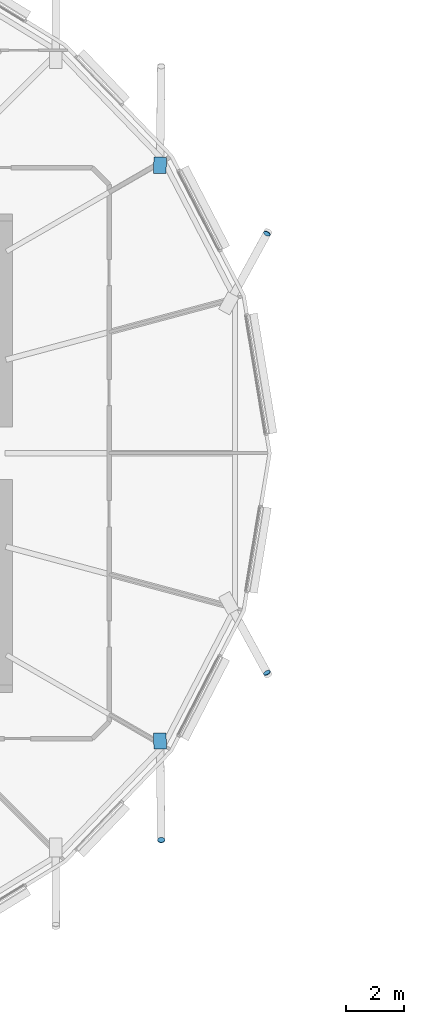
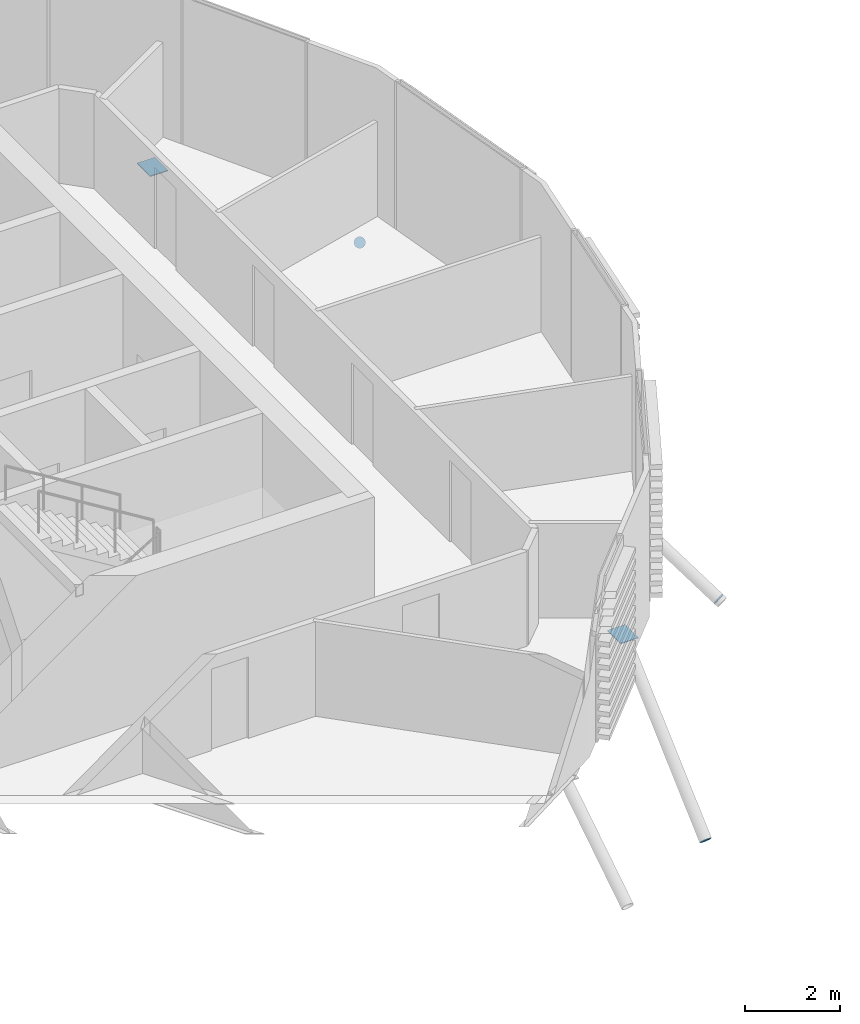
# One storey, part 26 of 38: 5 discrete accessories.
"""IFC4 building model written with IfcOpenShell, lengths in metres."""

from ifc_helpers import new_model, si_unit, direction, frame, origin, origin_2d, place, context, subcontext, project, spatial, polyline, rectangle, circle, outline, extrude, material, material_profile, profile_set, type_object, element, save


model = new_model("IFC4")

# Units and contexts
model_context = context("Model", 3, precision=1e-05, world=origin(), true_north=direction((0.0, 1.0)))
body_context = subcontext(model_context, "Body", "Model", "MODEL_VIEW")
ifc_project = project(units=[si_unit("LENGTHUNIT", "METRE"), si_unit("AREAUNIT", "SQUARE_METRE"), si_unit("VOLUMEUNIT", "CUBIC_METRE"), si_unit("PLANEANGLEUNIT", "RADIAN"), si_unit("MASSUNIT", "GRAM", prefix="KILO")], contexts=[model_context])

# Site, building, storey
site_placement = place(None, origin())
site = spatial("IfcSite", under=ifc_project, at=site_placement, CompositionType="ELEMENT")
building_placement = place(site_placement, origin())
building = spatial("IfcBuilding", under=site, at=building_placement, Name="Rimbun Link Towers", CompositionType="ELEMENT")
storey_placement = place(building_placement, frame((0.0, 0.0, 218.10009765625)))
storey = spatial("IfcBuildingStorey", under=building, at=storey_placement, Name="L53", CompositionType="ELEMENT", Elevation=218.10009765625)

# Discrete accessories
ifc_material_1 = material(Name="Steel S355J2H", Category="steel")
ifc_material_profile_1 = material_profile(ifc_material_1, circle(Radius=0.1240234375, at=origin_2d()), Name="PL D248")
ifc_profile_set_1 = profile_set([ifc_material_profile_1], Name="Steel S355J2H")
discrete_accessory_type_1 = type_object("IfcDiscreteAccessoryType", Name="Link foot sealing plate D248X20", PredefinedType="BRACKET", material=ifc_profile_set_1)
discrete_accessory_1_placement = place(storey_placement, frame((-10.72509765625, 7.564697265625, -2.30859375), z_axis=(0.41457249529, 0.743791829784, -0.524312273455), x_axis=(-0.873480989114, 0.486858256227, 0.0)))
element("IfcDiscreteAccessory", 1, at=discrete_accessory_1_placement, inside=storey, type_object=discrete_accessory_type_1, Name="Link foot sealing plate T1 L53 01", PredefinedType="BRACKET", context=body_context, shape_type="SweptSolid", body=[
    extrude(circle(Radius=0.1240234375, at=origin_2d()), origin(), (0.0, 0.0, 1.0), 0.02001953125),
])
discrete_accessory_2_placement = place(storey_placement, frame((-14.368408203125, -13.33642578125, -3.745849609375), z_axis=(0.012082441867, -0.724946511996, -0.688699186396), x_axis=(0.99986114004, 0.016664352334, 0.0)))
element("IfcDiscreteAccessory", 2, at=discrete_accessory_2_placement, inside=storey, type_object=discrete_accessory_type_1, Name="Link foot sealing plate T1 L53 22", PredefinedType="BRACKET", context=body_context, shape_type="SweptSolid", body=[
    extrude(circle(Radius=0.1240234375, at=origin_2d()), origin(), (0.0, 0.0, 1.0), 0.020263671875),
])
discrete_accessory_3_placement = place(storey_placement, frame((-10.72509765625, -7.564697265625, -2.30859375), z_axis=(0.41457249529, -0.743791829784, -0.524312273455), x_axis=(0.873480989114, 0.486858256227, 0.0)))
element("IfcDiscreteAccessory", 3, at=discrete_accessory_3_placement, inside=storey, type_object=discrete_accessory_type_1, Name="Link foot sealing plate T1 L53 23", PredefinedType="BRACKET", context=body_context, shape_type="SweptSolid", body=[
    extrude(circle(Radius=0.1240234375, at=origin_2d()), origin(), (0.0, 0.0, 1.0), 0.02001953125),
])
ifc_material_2 = material(Name="Steel S355J2H", Category="steel")
ifc_material_profile_2 = material_profile(ifc_material_2, rectangle(XDim=0.43310546875, YDim=0.43310546875, at=origin_2d()), Name="PL 433x433")
ifc_profile_set_2 = profile_set([ifc_material_profile_2], Name="Steel S355J2H")
discrete_accessory_type_2 = type_object("IfcDiscreteAccessoryType", Name="Link head end plate 433X20", PredefinedType="BRACKET", material=ifc_profile_set_2)
discrete_accessory_4_placement = place(storey_placement, frame((0.0, 0.0, -0.51513671875)))
element("IfcDiscreteAccessory", 4, at=discrete_accessory_4_placement, inside=storey, type_object=discrete_accessory_type_2, Name="Link head end plate T1 L53 02", PredefinedType="BRACKET", context=body_context, shape_type="SweptSolid", body=[
    extrude(outline(polyline([(-14.197509765625, 9.646240234375), (-14.190673828125, 10.203125), (-14.623779296875, 10.20849609375), (-14.630615234375, 9.651611328125), (-14.197509765625, 9.646240234375)])), origin(), (0.0, 0.0, 1.0), 0.02001953125),
])
discrete_accessory_5_placement = place(storey_placement, frame((0.0, 0.0, -0.51513671875)))
element("IfcDiscreteAccessory", 5, at=discrete_accessory_5_placement, inside=storey, type_object=discrete_accessory_type_2, Name="Link head end plate T1 L53 22", PredefinedType="BRACKET", context=body_context, shape_type="SweptSolid", body=[
    extrude(outline(polyline([(-14.630615234375, -9.651611328125), (-14.623779296875, -10.20849609375), (-14.190673828125, -10.203125), (-14.197509765625, -9.646240234375), (-14.630615234375, -9.651611328125)])), origin(), (0.0, 0.0, 1.0), 0.02001953125),
])

save(model, "model.ifc")
